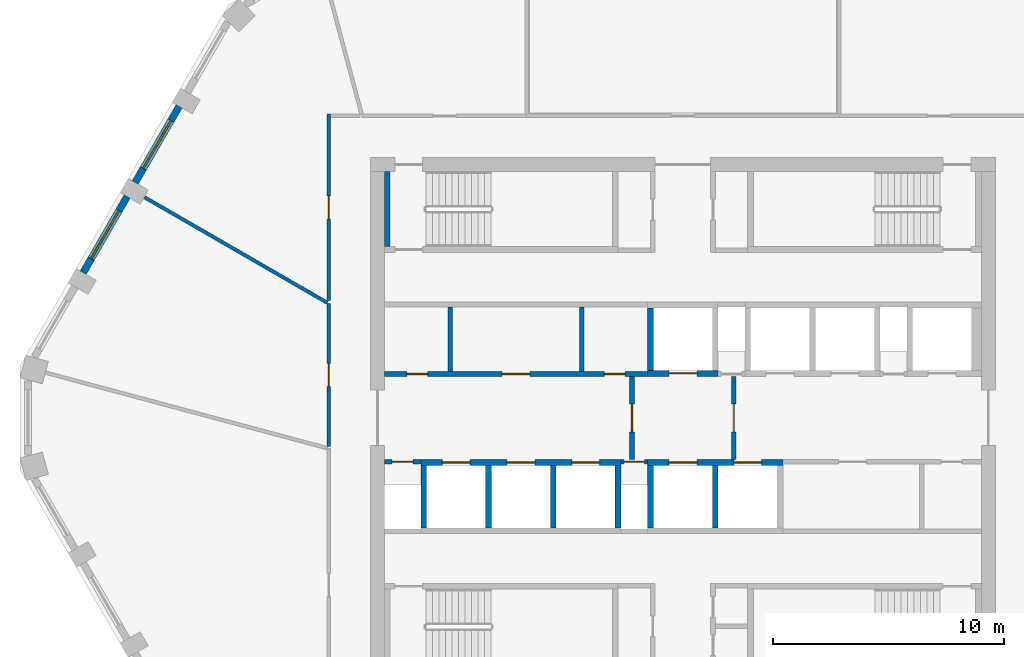
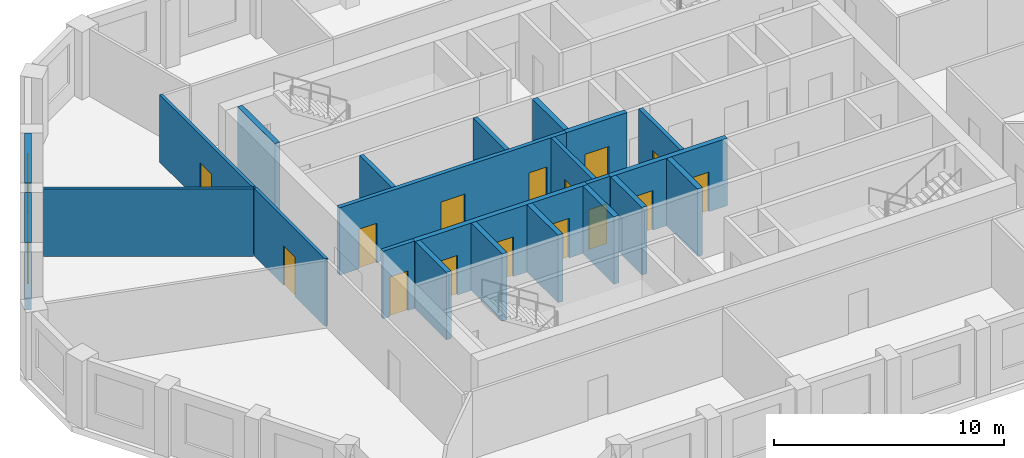
# One storey, part 3 of 10: 23 walls, 15 doors, 2 windows, 17 openings.
"""IFC4 building model written with IfcOpenShell, lengths in metres."""

from ifc_helpers import new_model, si_unit, direction, frame, frame_2d, origin, place, context, subcontext, project, spatial, polyline, rectangle, outline, extrude, material, layer, layer_set, type_object, element, fill, save


model = new_model("IFC4")

# Units and contexts
model_context = context("Model", 3, precision=1e-05, world=origin(), true_north=direction((0.0, 1.0)))
body_context = subcontext(model_context, "Body", "Model", "MODEL_VIEW")
ifc_project = project(units=[si_unit("LENGTHUNIT", "METRE"), si_unit("AREAUNIT", "SQUARE_METRE"), si_unit("VOLUMEUNIT", "CUBIC_METRE"), si_unit("PLANEANGLEUNIT", "RADIAN"), si_unit("MASSUNIT", "GRAM", prefix="KILO")], contexts=[model_context])

# Site, building, storey
site_placement = place(None, origin())
site = spatial("IfcSite", under=ifc_project, at=site_placement, CompositionType="ELEMENT")
building_placement = place(site_placement, origin())
building = spatial("IfcBuilding", under=site, at=building_placement, Name="Dhurran Vertical Campus", CompositionType="ELEMENT")
storey_placement = place(building_placement, frame((0.0, 0.0, 246.89990234375)))
storey = spatial("IfcBuildingStorey", under=building, at=storey_placement, Name="L61", CompositionType="ELEMENT", Elevation=246.89990234375)

# Wall, opening, window
ifc_material_1 = material(Name="Precast concrete C50/60", Category="concrete")
ifc_layer_1 = layer(ifc_material_1, 0.300048828125)
ifc_layer_set_1 = layer_set([ifc_layer_1], Name="Precast concrete C50/60")
wall_type_1 = type_object("IfcWallType", Name="Precast spandrel wall 300", PredefinedType="SOLIDWALL", material=ifc_layer_set_1)
wall_1_placement = place(storey_placement, frame((-21.769287109375, 13.462890625, 0.0), z_axis=(0.0, 0.0, 1.0), x_axis=(-0.499982058975, -0.866035761792, 0.0)))
wall_1 = element("IfcWall", 1, at=wall_1_placement, inside=storey, type_object=wall_type_1, Name="EW1 L61.27", PredefinedType="SOLIDWALL", context=body_context, shape_type="SweptSolid", body=[
    extrude(rectangle(XDim=3.799072265625, YDim=0.300048828125, at=frame_2d((1.8994140625, 0.0))), origin(), (0.0, 0.0, 1.0), 3.5751953125),
])
opening_1_placement = place(wall_1_placement, frame((0.699462890625, 0.0, 0.89990234375)))
opening_1 = element("IfcOpeningElement", 2, at=opening_1_placement, cuts=wall_1, Name="Opening WT1", PredefinedType="OPENING", context=body_context, shape_type="SweptSolid", body=[
    extrude(rectangle(XDim=2.39990234375, YDim=2.10009765625, at=frame_2d((1.199951171875, 1.050048828125))), frame((0.0, 0.159912109375, 0.0), z_axis=(0.0, -1.0, 0.0), x_axis=(1.0, 0.0, 0.0)), (0.0, 0.0, 1.0), 0.320068359375),
])
ifc_material_2 = material(Name="Aluminium frame with solar-control glass", Category="aluminium")
window_type = type_object("IfcWindowType", Name="Punched window 2400 x 2100", PartitioningType="SINGLE_PANEL", PredefinedType="WINDOW", material=ifc_material_2)
window_1_placement = place(opening_1_placement, origin())
window_1 = element("IfcWindow", 3, at=window_1_placement, inside=storey, type_object=window_type, Name="WT1 L61.27", OverallHeight=2.10009765625, OverallWidth=2.39990234375, PartitioningType="SINGLE_PANEL", PredefinedType="WINDOW", context=body_context, shape_type="SweptSolid", body=[
    extrude(rectangle(XDim=2.39990234375, YDim=2.10009765625, at=frame_2d((1.199951171875, 1.050048828125))), frame((0.0, 0.030029296875, 0.0), z_axis=(0.0, -1.0, 0.0), x_axis=(1.0, 0.0, 0.0)), (0.0, 0.0, 1.0), 0.06005859375),
])
fill(opening_1, window_1)

wall_2_placement = place(storey_placement, frame((-24.019287109375, 9.565673828125, 0.0), z_axis=(0.0, 0.0, 1.0), x_axis=(-0.499982058975, -0.866035761792, 0.0)))
wall_2 = element("IfcWall", 4, at=wall_2_placement, inside=storey, type_object=wall_type_1, Name="EW1 L61.28", PredefinedType="SOLIDWALL", context=body_context, shape_type="SweptSolid", body=[
    extrude(rectangle(XDim=3.799072265625, YDim=0.300048828125, at=frame_2d((1.8994140625, 0.0))), origin(), (0.0, 0.0, 1.0), 3.5751953125),
])
opening_2_placement = place(wall_2_placement, frame((0.699462890625, 0.0, 0.89990234375)))
opening_2 = element("IfcOpeningElement", 5, at=opening_2_placement, cuts=wall_2, Name="Opening WT1", PredefinedType="OPENING", context=body_context, shape_type="SweptSolid", body=[
    extrude(rectangle(XDim=2.39990234375, YDim=2.10009765625, at=frame_2d((1.199951171875, 1.050048828125))), frame((0.0, 0.159912109375, 0.0), z_axis=(0.0, -1.0, 0.0), x_axis=(1.0, 0.0, 0.0)), (0.0, 0.0, 1.0), 0.320068359375),
])
window_2_placement = place(opening_2_placement, origin())
window_2 = element("IfcWindow", 6, at=window_2_placement, inside=storey, type_object=window_type, Name="WT1 L61.28", OverallHeight=2.10009765625, OverallWidth=2.39990234375, PartitioningType="SINGLE_PANEL", PredefinedType="WINDOW", context=body_context, shape_type="SweptSolid", body=[
    extrude(rectangle(XDim=2.39990234375, YDim=2.10009765625, at=frame_2d((1.199951171875, 1.050048828125))), frame((0.0, 0.030029296875, 0.0), z_axis=(0.0, -1.0, 0.0), x_axis=(1.0, 0.0, 0.0)), (0.0, 0.0, 1.0), 0.06005859375),
])
fill(opening_2, window_2)

# Wall, opening, door
ifc_material_3 = material(Name="Fire-rated masonry blockwork", Category="masonry")
ifc_layer_2 = layer(ifc_material_3, 0.199951171875)
ifc_layer_set_2 = layer_set([ifc_layer_2], Name="Fire-rated masonry blockwork")
wall_type_2 = type_object("IfcWallType", Name="co-FIRE-PARTITION-200", PredefinedType="PARTITIONING", material=ifc_layer_set_2)
wall_3_placement = place(storey_placement, frame((-2.199951171875, -1.800048828125, 0.0), z_axis=(0.0, 0.0, 1.0), x_axis=(0.0, 1.0, 0.0)))
wall_3 = element("IfcWall", 7, at=wall_3_placement, inside=storey, type_object=wall_type_2, Name="Firefighting lobby wall W L61", PredefinedType="PARTITIONING", context=body_context, shape_type="SweptSolid", body=[
    extrude(rectangle(XDim=3.60009765625, YDim=0.199951171875, at=frame_2d((1.800048828125, 0.0))), origin(), (0.0, 0.0, 1.0), 3.5751953125),
])
opening_3_placement = place(wall_3_placement, frame((1.199951171875, 0.0, 0.0)))
opening_3 = element("IfcOpeningElement", 8, at=opening_3_placement, cuts=wall_3, Name="Opening FL1", PredefinedType="OPENING", context=body_context, shape_type="SweptSolid", body=[
    extrude(rectangle(XDim=1.199951171875, YDim=2.10009765625, at=frame_2d((0.60009765625, 1.050048828125))), frame((0.0, 0.10986328125, 0.0), z_axis=(0.0, -1.0, 0.0), x_axis=(1.0, 0.0, 0.0)), (0.0, 0.0, 1.0), 0.219970703125),
])
ifc_material_4 = material(Name="Fire-rated steel door set", Category="steel")
door_type_1 = type_object("IfcDoorType", Name="co-D-FFLOBBY 1200x2100", OperationType="SINGLE_SWING_LEFT", PredefinedType="DOOR", material=ifc_material_4)
door_1_placement = place(opening_3_placement, origin())
door_1 = element("IfcDoor", 9, at=door_1_placement, inside=storey, type_object=door_type_1, Name="Firefighting lobby door W L61", OperationType="SINGLE_SWING_LEFT", OverallHeight=2.10009765625, OverallWidth=1.199951171875, PredefinedType="DOOR", context=body_context, shape_type="SweptSolid", body=[
    extrude(rectangle(XDim=1.199951171875, YDim=2.10009765625, at=frame_2d((0.60009765625, 1.050048828125))), frame((0.0, 0.02490234375, 0.0), z_axis=(0.0, -1.0, 0.0), x_axis=(1.0, 0.0, 0.0)), (0.0, 0.0, 1.0), 0.050048828125),
])
fill(opening_3, door_1)

wall_4_placement = place(storey_placement, frame((2.199951171875, -1.800048828125, 0.0), z_axis=(0.0, 0.0, 1.0), x_axis=(0.0, 1.0, 0.0)))
wall_4 = element("IfcWall", 10, at=wall_4_placement, inside=storey, type_object=wall_type_2, Name="Firefighting lobby wall E L61", PredefinedType="PARTITIONING", context=body_context, shape_type="SweptSolid", body=[
    extrude(rectangle(XDim=3.60009765625, YDim=0.199951171875, at=frame_2d((1.800048828125, 0.0))), origin(), (0.0, 0.0, 1.0), 3.5751953125),
])
opening_4_placement = place(wall_4_placement, frame((1.199951171875, 0.0, 0.0)))
opening_4 = element("IfcOpeningElement", 11, at=opening_4_placement, cuts=wall_4, Name="Opening FL2", PredefinedType="OPENING", context=body_context, shape_type="SweptSolid", body=[
    extrude(rectangle(XDim=1.199951171875, YDim=2.10009765625, at=frame_2d((0.60009765625, 1.050048828125))), frame((0.0, 0.10986328125, 0.0), z_axis=(0.0, -1.0, 0.0), x_axis=(1.0, 0.0, 0.0)), (0.0, 0.0, 1.0), 0.219970703125),
])
door_2_placement = place(opening_4_placement, origin())
door_2 = element("IfcDoor", 12, at=door_2_placement, inside=storey, type_object=door_type_1, Name="Firefighting lobby door E L61", OperationType="SINGLE_SWING_LEFT", OverallHeight=2.10009765625, OverallWidth=1.199951171875, PredefinedType="DOOR", context=body_context, shape_type="SweptSolid", body=[
    extrude(rectangle(XDim=1.199951171875, YDim=2.10009765625, at=frame_2d((0.60009765625, 1.050048828125))), frame((0.0, 0.02490234375, 0.0), z_axis=(0.0, -1.0, 0.0), x_axis=(1.0, 0.0, 0.0)), (0.0, 0.0, 1.0), 0.050048828125),
])
fill(opening_4, door_2)

# Walls
for number, where, z_axis, x_axis, name in (
    (13, (-10.056396484375, 2.0, 0.0), (0.0, 0.0, 1.0), (0.0, 1.0, 0.0), "Core partition fr-N0-cut0 L61"),
    (14, (-4.368896484375, 2.0, 0.0), (0.0, 0.0, 1.0), (0.0, 1.0, 0.0), "Core partition fr-N0-cut1 L61"),
):
    element("IfcWall", number, at=place(storey_placement, frame(where, z_axis=z_axis, x_axis=x_axis)), inside=storey, type_object=wall_type_2, Name=name, PredefinedType="PARTITIONING", context=body_context, shape_type="SweptSolid", body=[
        extrude(rectangle(XDim=2.800048828125, YDim=0.199951171875, at=frame_2d((1.39990234375, 0.0))), origin(), (0.0, 0.0, 1.0), 3.5751953125),
    ])

# Wall, openings, doors
wall_5_placement = place(storey_placement, frame((-12.89990234375, 1.89990234375, 0.0), z_axis=(0.0, 0.0, 1.0), x_axis=(1.0, 0.0, 0.0)))
wall_5 = element("IfcWall", 15, at=wall_5_placement, inside=storey, type_object=wall_type_2, Name="Core partition fr-N0-f L61", PredefinedType="PARTITIONING", context=body_context, shape_type="SweptSolid", body=[
    extrude(rectangle(XDim=11.375, YDim=0.199951171875, at=frame_2d((5.6875, 0.0))), origin(), (0.0, 0.0, 1.0), 3.5751953125),
])
opening_5_placement = place(wall_5_placement, frame((0.971923828125, 0.0, 0.0)))
opening_5 = element("IfcOpeningElement", 16, at=opening_5_placement, cuts=wall_5, Name="Opening T18-C6", PredefinedType="OPENING", context=body_context, shape_type="SweptSolid", body=[
    extrude(rectangle(XDim=0.89990234375, YDim=2.10009765625, at=frame_2d((0.449951171875, 1.050048828125))), frame((0.0, 0.10986328125, 0.0), z_axis=(0.0, -1.0, 0.0), x_axis=(1.0, 0.0, 0.0)), (0.0, 0.0, 1.0), 0.219970703125),
])
opening_6_placement = place(wall_5_placement, frame((5.08740234375, 0.0, 0.0)))
opening_6 = element("IfcOpeningElement", 17, at=opening_6_placement, cuts=wall_5, Name="Opening T18-C7", PredefinedType="OPENING", context=body_context, shape_type="SweptSolid", body=[
    extrude(rectangle(XDim=1.199951171875, YDim=2.10009765625, at=frame_2d((0.60009765625, 1.050048828125))), frame((0.0, 0.10986328125, 0.0), z_axis=(0.0, -1.0, 0.0), x_axis=(1.0, 0.0, 0.0)), (0.0, 0.0, 1.0), 0.219970703125),
])
opening_7_placement = place(wall_5_placement, frame((9.503173828125, 0.0, 0.0)))
opening_7 = element("IfcOpeningElement", 18, at=opening_7_placement, cuts=wall_5, Name="Opening T18-C8", PredefinedType="OPENING", context=body_context, shape_type="SweptSolid", body=[
    extrude(rectangle(XDim=0.89990234375, YDim=2.10009765625, at=frame_2d((0.449951171875, 1.050048828125))), frame((0.0, 0.10986328125, 0.0), z_axis=(0.0, -1.0, 0.0), x_axis=(1.0, 0.0, 0.0)), (0.0, 0.0, 1.0), 0.219970703125),
])
ifc_material_5 = material(Name="Fire-rated timber door set", Category="wood")
door_type_2 = type_object("IfcDoorType", Name="co-D-ROOM 900x2100", OperationType="SINGLE_SWING_LEFT", PredefinedType="DOOR", material=ifc_material_5)
door_3_placement = place(opening_5_placement, origin())
door_3 = element("IfcDoor", 19, at=door_3_placement, inside=storey, type_object=door_type_2, Name="Housekeeping store door L61", OperationType="SINGLE_SWING_LEFT", OverallHeight=2.10009765625, OverallWidth=0.89990234375, PredefinedType="DOOR", context=body_context, shape_type="SweptSolid", body=[
    extrude(rectangle(XDim=0.89990234375, YDim=2.10009765625, at=frame_2d((0.449951171875, 1.050048828125))), frame((0.0, 0.02490234375, 0.0), z_axis=(0.0, -1.0, 0.0), x_axis=(1.0, 0.0, 0.0)), (0.0, 0.0, 1.0), 0.050048828125),
])
fill(opening_5, door_3)
door_4_placement = place(opening_7_placement, origin())
door_4 = element("IfcDoor", 20, at=door_4_placement, inside=storey, type_object=door_type_2, Name="Cleaner's store door L61", OperationType="SINGLE_SWING_LEFT", OverallHeight=2.10009765625, OverallWidth=0.89990234375, PredefinedType="DOOR", context=body_context, shape_type="SweptSolid", body=[
    extrude(rectangle(XDim=0.89990234375, YDim=2.10009765625, at=frame_2d((0.449951171875, 1.050048828125))), frame((0.0, 0.02490234375, 0.0), z_axis=(0.0, -1.0, 0.0), x_axis=(1.0, 0.0, 0.0)), (0.0, 0.0, 1.0), 0.050048828125),
])
fill(opening_7, door_4)
ifc_material_6 = material(Name="Fire-rated steel door set", Category="steel")
door_type_3 = type_object("IfcDoorType", Name="co-D-ROOM-PASSAGE 1200x2100", OperationType="SINGLE_SWING_RIGHT", PredefinedType="DOOR", material=ifc_material_6)
door_5_placement = place(opening_6_placement, origin())
door_5 = element("IfcDoor", 21, at=door_5_placement, inside=storey, type_object=door_type_3, Name="Server room door L61", OperationType="SINGLE_SWING_RIGHT", OverallHeight=2.10009765625, OverallWidth=1.199951171875, PredefinedType="DOOR", context=body_context, shape_type="SweptSolid", body=[
    extrude(rectangle(XDim=1.199951171875, YDim=2.10009765625, at=frame_2d((0.60009765625, 1.050048828125))), frame((0.0, 0.02490234375, 0.0), z_axis=(0.0, -1.0, 0.0), x_axis=(1.0, 0.0, 0.0)), (0.0, 0.0, 1.0), 0.050048828125),
])
fill(opening_6, door_5)

# Wall, opening, door
wall_6_placement = place(storey_placement, frame((-12.89990234375, -1.89990234375, 0.0), z_axis=(0.0, 0.0, 1.0), x_axis=(1.0, 0.0, 0.0)))
wall_6 = element("IfcWall", 22, at=wall_6_placement, inside=storey, type_object=wall_type_2, Name="Core partition fr-S0-f L61", PredefinedType="PARTITIONING", context=body_context, shape_type="SweptSolid", body=[
    extrude(rectangle(XDim=1.574951171875, YDim=0.199951171875, at=frame_2d((0.78759765625, 0.0))), origin(), (0.0, 0.0, 1.0), 3.5751953125),
])
opening_8_placement = place(wall_6_placement, frame((0.33740234375, 0.0, 0.0)))
opening_8 = element("IfcOpeningElement", 23, at=opening_8_placement, cuts=wall_6, Name="Opening T18-C11", PredefinedType="OPENING", context=body_context, shape_type="SweptSolid", body=[
    extrude(rectangle(XDim=0.89990234375, YDim=2.10009765625, at=frame_2d((0.449951171875, 1.050048828125))), frame((0.0, 0.10986328125, 0.0), z_axis=(0.0, -1.0, 0.0), x_axis=(1.0, 0.0, 0.0)), (0.0, 0.0, 1.0), 0.219970703125),
])
door_6_placement = place(opening_8_placement, origin())
door_6 = element("IfcDoor", 24, at=door_6_placement, inside=storey, type_object=door_type_2, Name="Communications riser door L61", OperationType="SINGLE_SWING_LEFT", OverallHeight=2.10009765625, OverallWidth=0.89990234375, PredefinedType="DOOR", context=body_context, shape_type="SweptSolid", body=[
    extrude(rectangle(XDim=0.89990234375, YDim=2.10009765625, at=frame_2d((0.449951171875, 1.050048828125))), frame((0.0, 0.02490234375, 0.0), z_axis=(0.0, -1.0, 0.0), x_axis=(1.0, 0.0, 0.0)), (0.0, 0.0, 1.0), 0.050048828125),
])
fill(opening_8, door_6)

wall_7_placement = place(storey_placement, frame((-2.675048828125, -1.89990234375, 0.0), z_axis=(0.0, 0.0, 1.0), x_axis=(1.0, 0.0, 0.0)))
wall_7 = element("IfcWall", 25, at=wall_7_placement, inside=storey, type_object=wall_type_2, Name="Core partition fr-S1-f L61", PredefinedType="PARTITIONING", context=body_context, shape_type="SweptSolid", body=[
    extrude(rectangle(XDim=1.150146484375, YDim=0.199951171875, at=frame_2d((0.5751953125, 0.0))), origin(), (0.0, 0.0, 1.0), 3.5751953125),
])
opening_9_placement = place(wall_7_placement, frame((0.125, 0.0, 0.0)))
opening_9 = element("IfcOpeningElement", 26, at=opening_9_placement, cuts=wall_7, Name="Opening T18-C12", PredefinedType="OPENING", context=body_context, shape_type="SweptSolid", body=[
    extrude(rectangle(XDim=0.89990234375, YDim=2.10009765625, at=frame_2d((0.449951171875, 1.050048828125))), frame((0.0, 0.10986328125, 0.0), z_axis=(0.0, -1.0, 0.0), x_axis=(1.0, 0.0, 0.0)), (0.0, 0.0, 1.0), 0.219970703125),
])
door_7_placement = place(opening_9_placement, origin())
door_7 = element("IfcDoor", 27, at=door_7_placement, inside=storey, type_object=door_type_2, Name="Electrical riser door L61", OperationType="SINGLE_SWING_LEFT", OverallHeight=2.10009765625, OverallWidth=0.89990234375, PredefinedType="DOOR", context=body_context, shape_type="SweptSolid", body=[
    extrude(rectangle(XDim=0.89990234375, YDim=2.10009765625, at=frame_2d((0.449951171875, 1.050048828125))), frame((0.0, 0.02490234375, 0.0), z_axis=(0.0, -1.0, 0.0), x_axis=(1.0, 0.0, 0.0)), (0.0, 0.0, 1.0), 0.050048828125),
])
fill(opening_9, door_7)

ifc_material_7 = material(Name="Concrete C50/60", Category="concrete")
ifc_layer_3 = layer(ifc_material_7, 0.25)
ifc_layer_set_3 = layer_set([ifc_layer_3], Name="Concrete C50/60")
wall_type_3 = type_object("IfcWallType", Name="co-SHAFT-FRONT-250", PredefinedType="SHEAR", material=ifc_layer_set_3)
wall_8_placement = place(storey_placement, frame((-1.52490234375, 1.925048828125, 0.0), z_axis=(0.0, 0.0, 1.0), x_axis=(1.0, 0.0, 0.0)))
wall_8 = element("IfcWall", 28, at=wall_8_placement, inside=storey, type_object=wall_type_3, Name="Lift landing wall N L61", PredefinedType="SHEAR", context=body_context, shape_type="SweptSolid", body=[
    extrude(rectangle(XDim=3.0498046875, YDim=0.25, at=frame_2d((1.52490234375, 0.0))), origin(), (0.0, 0.0, 1.0), 3.5751953125),
])
opening_10_placement = place(wall_8_placement, frame((0.925048828125, 0.0, 0.0)))
opening_10 = element("IfcOpeningElement", 29, at=opening_10_placement, cuts=wall_8, Name="Opening LD", PredefinedType="OPENING", context=body_context, shape_type="SweptSolid", body=[
    extrude(rectangle(XDim=1.199951171875, YDim=2.10009765625, at=frame_2d((0.60009765625, 1.050048828125))), frame((0.0, 0.135009765625, 0.0), z_axis=(0.0, -1.0, 0.0), x_axis=(1.0, 0.0, 0.0)), (0.0, 0.0, 1.0), 0.27001953125),
])
ifc_material_8 = material(Name="Stainless steel landing door", Category="steel")
door_type_4 = type_object("IfcDoorType", Name="co-D-LANDING 1200x2100", OperationType="DOUBLE_DOOR_SLIDING", PredefinedType="DOOR", material=ifc_material_8)
door_8_placement = place(opening_10_placement, origin())
door_8 = element("IfcDoor", 30, at=door_8_placement, inside=storey, type_object=door_type_4, Name="Landing door FF1 L61", OperationType="DOUBLE_DOOR_SLIDING", OverallHeight=2.10009765625, OverallWidth=1.199951171875, PredefinedType="DOOR", context=body_context, shape_type="SweptSolid", body=[
    extrude(rectangle(XDim=1.199951171875, YDim=2.10009765625, at=frame_2d((0.60009765625, 1.050048828125))), frame((0.0, 0.02490234375, 0.0), z_axis=(0.0, -1.0, 0.0), x_axis=(1.0, 0.0, 0.0)), (0.0, 0.0, 1.0), 0.050048828125),
])
fill(opening_10, door_8)

# Wall, openings, doors
wall_9_placement = place(storey_placement, frame((-11.324951171875, -1.925048828125, 0.0), z_axis=(0.0, 0.0, 1.0), x_axis=(1.0, 0.0, 0.0)))
wall_9 = element("IfcWall", 31, at=wall_9_placement, inside=storey, type_object=wall_type_3, Name="Lift landing wall S L61", PredefinedType="SHEAR", context=body_context, shape_type="SweptSolid", body=[
    extrude(rectangle(XDim=8.64990234375, YDim=0.25, at=frame_2d((4.324951171875, 0.0))), origin(), (0.0, 0.0, 1.0), 3.5751953125),
])
opening_11_placement = place(wall_9_placement, frame((0.925048828125, 0.0, 0.0)))
opening_11 = element("IfcOpeningElement", 32, at=opening_11_placement, cuts=wall_9, Name="Opening LD", PredefinedType="OPENING", context=body_context, shape_type="SweptSolid", body=[
    extrude(rectangle(XDim=1.199951171875, YDim=2.10009765625, at=frame_2d((0.60009765625, 1.050048828125))), frame((0.0, 0.135009765625, 0.0), z_axis=(0.0, -1.0, 0.0), x_axis=(1.0, 0.0, 0.0)), (0.0, 0.0, 1.0), 0.27001953125),
])
opening_12_placement = place(wall_9_placement, frame((3.72509765625, 0.0, 0.0)))
opening_12 = element("IfcOpeningElement", 33, at=opening_12_placement, cuts=wall_9, Name="Opening LD", PredefinedType="OPENING", context=body_context, shape_type="SweptSolid", body=[
    extrude(rectangle(XDim=1.199951171875, YDim=2.10009765625, at=frame_2d((0.60009765625, 1.050048828125))), frame((0.0, 0.135009765625, 0.0), z_axis=(0.0, -1.0, 0.0), x_axis=(1.0, 0.0, 0.0)), (0.0, 0.0, 1.0), 0.27001953125),
])
opening_13_placement = place(wall_9_placement, frame((6.52490234375, 0.0, 0.0)))
opening_13 = element("IfcOpeningElement", 34, at=opening_13_placement, cuts=wall_9, Name="Opening LD", PredefinedType="OPENING", context=body_context, shape_type="SweptSolid", body=[
    extrude(rectangle(XDim=1.199951171875, YDim=2.10009765625, at=frame_2d((0.60009765625, 1.050048828125))), frame((0.0, 0.135009765625, 0.0), z_axis=(0.0, -1.0, 0.0), x_axis=(1.0, 0.0, 0.0)), (0.0, 0.0, 1.0), 0.27001953125),
])
door_9_placement = place(opening_11_placement, origin())
door_9 = element("IfcDoor", 35, at=door_9_placement, inside=storey, type_object=door_type_4, Name="Landing door HR3 L61", OperationType="DOUBLE_DOOR_SLIDING", OverallHeight=2.10009765625, OverallWidth=1.199951171875, PredefinedType="DOOR", context=body_context, shape_type="SweptSolid", body=[
    extrude(rectangle(XDim=1.199951171875, YDim=2.10009765625, at=frame_2d((0.60009765625, 1.050048828125))), frame((0.0, 0.02490234375, 0.0), z_axis=(0.0, -1.0, 0.0), x_axis=(1.0, 0.0, 0.0)), (0.0, 0.0, 1.0), 0.050048828125),
])
fill(opening_11, door_9)
door_10_placement = place(opening_12_placement, origin())
door_10 = element("IfcDoor", 36, at=door_10_placement, inside=storey, type_object=door_type_4, Name="Landing door HR4 L61", OperationType="DOUBLE_DOOR_SLIDING", OverallHeight=2.10009765625, OverallWidth=1.199951171875, PredefinedType="DOOR", context=body_context, shape_type="SweptSolid", body=[
    extrude(rectangle(XDim=1.199951171875, YDim=2.10009765625, at=frame_2d((0.60009765625, 1.050048828125))), frame((0.0, 0.02490234375, 0.0), z_axis=(0.0, -1.0, 0.0), x_axis=(1.0, 0.0, 0.0)), (0.0, 0.0, 1.0), 0.050048828125),
])
fill(opening_12, door_10)
door_11_placement = place(opening_13_placement, origin())
door_11 = element("IfcDoor", 37, at=door_11_placement, inside=storey, type_object=door_type_4, Name="Landing door HR5 L61", OperationType="DOUBLE_DOOR_SLIDING", OverallHeight=2.10009765625, OverallWidth=1.199951171875, PredefinedType="DOOR", context=body_context, shape_type="SweptSolid", body=[
    extrude(rectangle(XDim=1.199951171875, YDim=2.10009765625, at=frame_2d((0.60009765625, 1.050048828125))), frame((0.0, 0.02490234375, 0.0), z_axis=(0.0, -1.0, 0.0), x_axis=(1.0, 0.0, 0.0)), (0.0, 0.0, 1.0), 0.050048828125),
])
fill(opening_13, door_11)

wall_10_placement = place(storey_placement, frame((-1.52490234375, -1.925048828125, 0.0), z_axis=(0.0, 0.0, 1.0), x_axis=(1.0, 0.0, 0.0)))
wall_10 = element("IfcWall", 38, at=wall_10_placement, inside=storey, type_object=wall_type_3, Name="Lift landing wall S L61", PredefinedType="SHEAR", context=body_context, shape_type="SweptSolid", body=[
    extrude(rectangle(XDim=5.849853515625, YDim=0.25, at=frame_2d((2.9248046875, 0.0))), origin(), (0.0, 0.0, 1.0), 3.5751953125),
])
opening_14_placement = place(wall_10_placement, frame((0.925048828125, 0.0, 0.0)))
opening_14 = element("IfcOpeningElement", 39, at=opening_14_placement, cuts=wall_10, Name="Opening LD", PredefinedType="OPENING", context=body_context, shape_type="SweptSolid", body=[
    extrude(rectangle(XDim=1.199951171875, YDim=2.10009765625, at=frame_2d((0.60009765625, 1.050048828125))), frame((0.0, 0.135009765625, 0.0), z_axis=(0.0, -1.0, 0.0), x_axis=(1.0, 0.0, 0.0)), (0.0, 0.0, 1.0), 0.27001953125),
])
opening_15_placement = place(wall_10_placement, frame((3.72509765625, 0.0, 0.0)))
opening_15 = element("IfcOpeningElement", 40, at=opening_15_placement, cuts=wall_10, Name="Opening LD", PredefinedType="OPENING", context=body_context, shape_type="SweptSolid", body=[
    extrude(rectangle(XDim=1.199951171875, YDim=2.10009765625, at=frame_2d((0.60009765625, 1.050048828125))), frame((0.0, 0.135009765625, 0.0), z_axis=(0.0, -1.0, 0.0), x_axis=(1.0, 0.0, 0.0)), (0.0, 0.0, 1.0), 0.27001953125),
])
door_12_placement = place(opening_14_placement, origin())
door_12 = element("IfcDoor", 41, at=door_12_placement, inside=storey, type_object=door_type_4, Name="Landing door FF2 L61", OperationType="DOUBLE_DOOR_SLIDING", OverallHeight=2.10009765625, OverallWidth=1.199951171875, PredefinedType="DOOR", context=body_context, shape_type="SweptSolid", body=[
    extrude(rectangle(XDim=1.199951171875, YDim=2.10009765625, at=frame_2d((0.60009765625, 1.050048828125))), frame((0.0, 0.02490234375, 0.0), z_axis=(0.0, -1.0, 0.0), x_axis=(1.0, 0.0, 0.0)), (0.0, 0.0, 1.0), 0.050048828125),
])
fill(opening_14, door_12)
door_13_placement = place(opening_15_placement, origin())
door_13 = element("IfcDoor", 42, at=door_13_placement, inside=storey, type_object=door_type_4, Name="Landing door SV1 L61", OperationType="DOUBLE_DOOR_SLIDING", OverallHeight=2.10009765625, OverallWidth=1.199951171875, PredefinedType="DOOR", context=body_context, shape_type="SweptSolid", body=[
    extrude(rectangle(XDim=1.199951171875, YDim=2.10009765625, at=frame_2d((0.60009765625, 1.050048828125))), frame((0.0, 0.02490234375, 0.0), z_axis=(0.0, -1.0, 0.0), x_axis=(1.0, 0.0, 0.0)), (0.0, 0.0, 1.0), 0.050048828125),
])
fill(opening_15, door_13)

# Walls
ifc_material_9 = material(Name="Concrete C50/60", Category="concrete")
ifc_layer_4 = layer(ifc_material_9, 0.25)
ifc_layer_set_4 = layer_set([ifc_layer_4], Name="Concrete C50/60")
wall_type_4 = type_object("IfcWallType", Name="co-SHAFT-MASS-250", PredefinedType="SHEAR", material=ifc_layer_set_4)
wall_11_placement = place(storey_placement, origin())
element("IfcWall", 43, at=wall_11_placement, inside=storey, type_object=wall_type_4, Name="Lift shaft wall N L61 4", PredefinedType="SHEAR", context=body_context, shape_type="SweptSolid", body=[
    extrude(outline(polyline([(-1.52490234375, 2.050048828125), (-1.27490234375, 2.050048828125), (-1.27490234375, 4.75), (-1.52490234375, 4.75), (-1.52490234375, 2.050048828125)])), origin(), (0.0, 0.0, 1.0), 3.5751953125),
])
wall_12_placement = place(storey_placement, origin())
element("IfcWall", 44, at=wall_12_placement, inside=storey, type_object=wall_type_4, Name="Lift shaft wall S L61 3", PredefinedType="SHEAR", context=body_context, shape_type="SweptSolid", body=[
    extrude(outline(polyline([(-11.324951171875, -4.75), (-11.074951171875, -4.75), (-11.074951171875, -2.050048828125), (-11.324951171875, -2.050048828125), (-11.324951171875, -4.75)])), origin(), (0.0, 0.0, 1.0), 3.5751953125),
])
wall_13_placement = place(storey_placement, origin())
element("IfcWall", 45, at=wall_13_placement, inside=storey, type_object=wall_type_4, Name="Lift shaft wall S L61 4", PredefinedType="SHEAR", context=body_context, shape_type="SweptSolid", body=[
    extrude(outline(polyline([(-8.52490234375, -4.75), (-8.27490234375, -4.75), (-8.27490234375, -2.050048828125), (-8.52490234375, -2.050048828125), (-8.52490234375, -4.75)])), origin(), (0.0, 0.0, 1.0), 3.5751953125),
])
wall_14_placement = place(storey_placement, origin())
element("IfcWall", 46, at=wall_14_placement, inside=storey, type_object=wall_type_4, Name="Lift shaft wall S L61 5", PredefinedType="SHEAR", context=body_context, shape_type="SweptSolid", body=[
    extrude(outline(polyline([(-5.72509765625, -4.75), (-5.47509765625, -4.75), (-5.47509765625, -2.050048828125), (-5.72509765625, -2.050048828125), (-5.72509765625, -4.75)])), origin(), (0.0, 0.0, 1.0), 3.5751953125),
])
wall_15_placement = place(storey_placement, origin())
element("IfcWall", 47, at=wall_15_placement, inside=storey, type_object=wall_type_4, Name="Lift shaft wall S L61 6", PredefinedType="SHEAR", context=body_context, shape_type="SweptSolid", body=[
    extrude(outline(polyline([(-2.925048828125, -4.75), (-2.675048828125, -4.75), (-2.675048828125, -2.050048828125), (-2.925048828125, -2.050048828125), (-2.925048828125, -4.75)])), origin(), (0.0, 0.0, 1.0), 3.5751953125),
])
wall_16_placement = place(storey_placement, origin())
element("IfcWall", 48, at=wall_16_placement, inside=storey, type_object=wall_type_4, Name="Lift shaft wall S L61 7", PredefinedType="SHEAR", context=body_context, shape_type="SweptSolid", body=[
    extrude(outline(polyline([(-1.52490234375, -4.75), (-1.27490234375, -4.75), (-1.27490234375, -2.050048828125), (-1.52490234375, -2.050048828125), (-1.52490234375, -4.75)])), origin(), (0.0, 0.0, 1.0), 3.5751953125),
])
wall_17_placement = place(storey_placement, origin())
element("IfcWall", 49, at=wall_17_placement, inside=storey, type_object=wall_type_4, Name="Lift shaft wall S L61 8", PredefinedType="SHEAR", context=body_context, shape_type="SweptSolid", body=[
    extrude(outline(polyline([(1.27490234375, -4.75), (1.52490234375, -4.75), (1.52490234375, -2.050048828125), (1.27490234375, -2.050048828125), (1.27490234375, -4.75)])), origin(), (0.0, 0.0, 1.0), 3.5751953125),
])
ifc_material_10 = material(Name="Concrete C40/50", Category="concrete")
ifc_layer_5 = layer(ifc_material_10, 0.25)
ifc_layer_set_5 = layer_set([ifc_layer_5], Name="Concrete C40/50")
wall_type_5 = type_object("IfcWallType", Name="co-STAIR-WALL-250", PredefinedType="SHEAR", material=ifc_layer_set_5)
wall_18_placement = place(storey_placement, frame((-12.77490234375, 7.39990234375, 0.0), z_axis=(0.0, 0.0, 1.0), x_axis=(0.0, 1.0, 0.0)))
element("IfcWall", 50, at=wall_18_placement, inside=storey, type_object=wall_type_5, Name="Stair ST1 enclosure wall L61", PredefinedType="SHEAR", context=body_context, shape_type="SweptSolid", body=[
    extrude(rectangle(XDim=3.25, YDim=0.25, at=frame_2d((1.625, 0.0))), origin(), (0.0, 0.0, 1.0), 3.5751953125),
])

# Wall, opening, door
ifc_material_11 = material(Name="Gypsum board corridor wall on steel studs", Category="steel")
ifc_layer_6 = layer(ifc_material_11, 0.14990234375)
ifc_layer_set_6 = layer_set([ifc_layer_6], Name="Gypsum board corridor wall on steel studs")
wall_type_6 = type_object("IfcWallType", Name="fl-CW-150 corridor wall", PredefinedType="PARTITIONING", material=ifc_layer_set_6)
wall_19_placement = place(storey_placement, frame((-15.300048828125, 4.93603515625, 0.0), z_axis=(0.0, 0.0, 1.0), x_axis=(0.0, -1.0, 0.0)))
wall_19 = element("IfcWall", 51, at=wall_19_placement, inside=storey, type_object=wall_type_6, Name="Partition 61-07", PredefinedType="PARTITIONING", context=body_context, shape_type="SweptSolid", body=[
    extrude(rectangle(XDim=6.1669921875, YDim=0.14990234375, at=frame_2d((3.08349609375, 0.0))), origin(), (0.0, 0.0, 1.0), 3.5751953125),
])
opening_16_placement = place(wall_19_placement, frame((2.58349609375, 0.0, 0.0)))
opening_16 = element("IfcOpeningElement", 52, at=opening_16_placement, cuts=wall_19, Name="Opening T18.01", PredefinedType="OPENING", context=body_context, shape_type="SweptSolid", body=[
    extrude(rectangle(XDim=1.0, YDim=2.10009765625, at=frame_2d((0.5, 1.050048828125))), frame((0.0, 0.0849609375, 0.0), z_axis=(0.0, -1.0, 0.0), x_axis=(1.0, 0.0, 0.0)), (0.0, 0.0, 1.0), 0.169921875),
])
ifc_material_12 = material(Name="Solid-core timber door set, fire-rated", Category="wood")
door_type_5 = type_object("IfcDoorType", Name="fl-D-1000x2100", OperationType="SINGLE_SWING_LEFT", PredefinedType="DOOR", material=ifc_material_12)
door_14_placement = place(opening_16_placement, origin())
door_14 = element("IfcDoor", 53, at=door_14_placement, inside=storey, type_object=door_type_5, Name="Door 61.01", OperationType="SINGLE_SWING_LEFT", OverallHeight=2.10009765625, OverallWidth=1.0, PredefinedType="DOOR", context=body_context, shape_type="SweptSolid", body=[
    extrude(rectangle(XDim=1.0, YDim=2.10009765625, at=frame_2d((0.5, 1.050048828125))), frame((0.0, 0.02490234375, 0.0), z_axis=(0.0, -1.0, 0.0), x_axis=(1.0, 0.0, 0.0)), (0.0, 0.0, 1.0), 0.050048828125),
])
fill(opening_16, door_14)

wall_20_placement = place(storey_placement, frame((-15.300048828125, 13.125, 0.0), z_axis=(0.0, 0.0, 1.0), x_axis=(0.0, -1.0, 0.0)))
wall_20 = element("IfcWall", 54, at=wall_20_placement, inside=storey, type_object=wall_type_6, Name="Partition 61-08", PredefinedType="PARTITIONING", context=body_context, shape_type="SweptSolid", body=[
    extrude(rectangle(XDim=8.05908203125, YDim=0.14990234375, at=frame_2d((4.029541015625, 0.0))), origin(), (0.0, 0.0, 1.0), 3.5751953125),
])
opening_17_placement = place(wall_20_placement, frame((3.529541015625, 0.0, 0.0)))
opening_17 = element("IfcOpeningElement", 55, at=opening_17_placement, cuts=wall_20, Name="Opening T18.03", PredefinedType="OPENING", context=body_context, shape_type="SweptSolid", body=[
    extrude(rectangle(XDim=1.0, YDim=2.10009765625, at=frame_2d((0.5, 1.050048828125))), frame((0.0, 0.0849609375, 0.0), z_axis=(0.0, -1.0, 0.0), x_axis=(1.0, 0.0, 0.0)), (0.0, 0.0, 1.0), 0.169921875),
])
door_15_placement = place(opening_17_placement, origin())
door_15 = element("IfcDoor", 56, at=door_15_placement, inside=storey, type_object=door_type_5, Name="Door 61.03", OperationType="SINGLE_SWING_LEFT", OverallHeight=2.10009765625, OverallWidth=1.0, PredefinedType="DOOR", context=body_context, shape_type="SweptSolid", body=[
    extrude(rectangle(XDim=1.0, YDim=2.10009765625, at=frame_2d((0.5, 1.050048828125))), frame((0.0, 0.02490234375, 0.0), z_axis=(0.0, -1.0, 0.0), x_axis=(1.0, 0.0, 0.0)), (0.0, 0.0, 1.0), 0.050048828125),
])
fill(opening_17, door_15)

# Wall
ifc_material_13 = material(Name="Gypsum board partition on steel studs", Category="steel")
ifc_layer_7 = layer(ifc_material_13, 0.14990234375)
ifc_layer_set_7 = layer_set([ifc_layer_7], Name="Gypsum board partition on steel studs")
wall_type_7 = type_object("IfcWallType", Name="fl-PW-150 fixed partition", PredefinedType="PARTITIONING", material=ifc_layer_set_7)
wall_21_placement = place(storey_placement, frame((-23.263916015625, 9.5341796875, 0.0), z_axis=(0.0, 0.0, 1.0), x_axis=(0.866009068046, -0.500028293261, 0.0)))
element("IfcWall", 57, at=wall_21_placement, inside=storey, type_object=wall_type_7, Name="Partition 61-02", PredefinedType="PARTITIONING", context=body_context, shape_type="SweptSolid", body=[
    extrude(rectangle(XDim=9.12109375, YDim=0.14990234375, at=frame_2d((4.560546875, 0.0))), origin(), (0.0, 0.0, 1.0), 3.5751953125),
])

save(model, "model.ifc")
